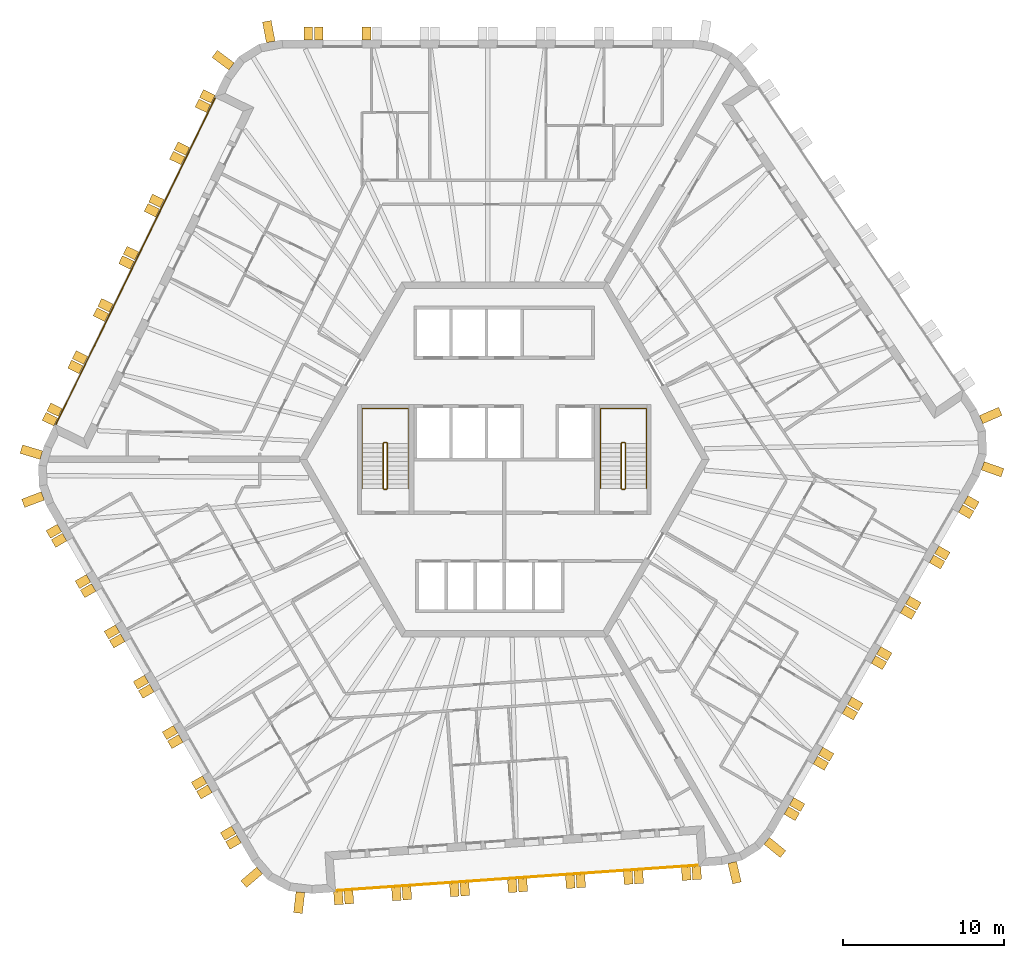
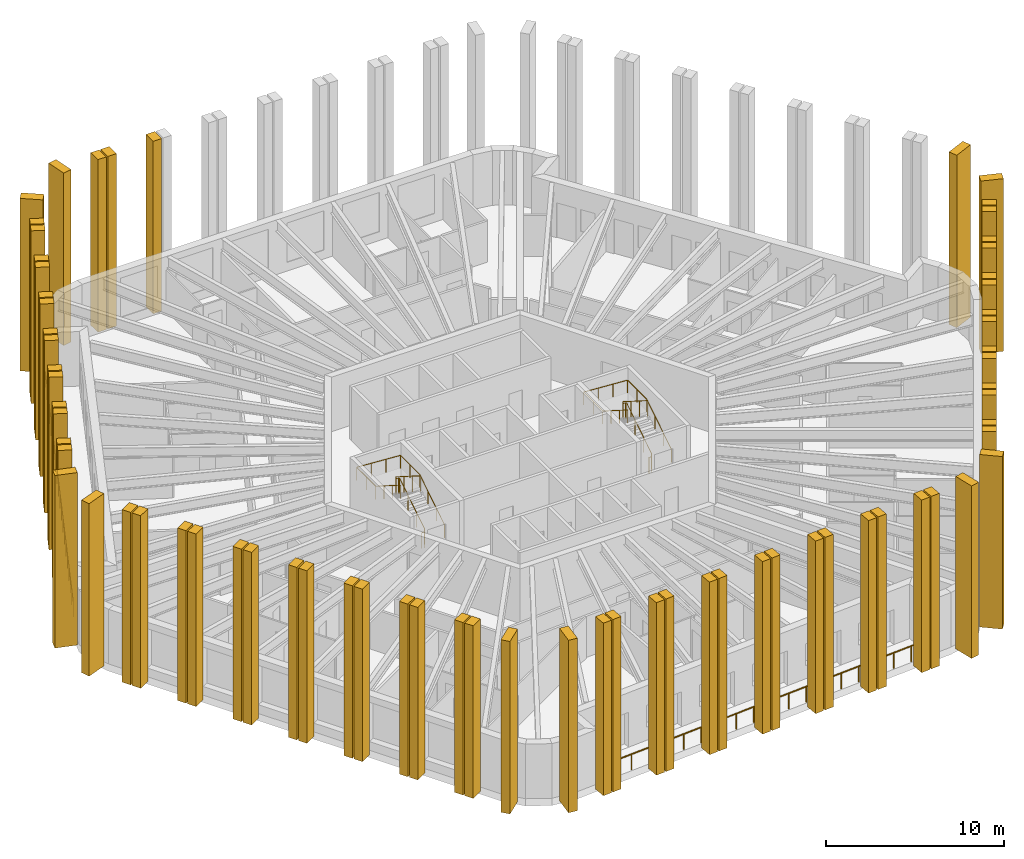
# One storey, part 12 of 13: 69 shading devices, 6 railings.
"""IFC4 building model written with IfcOpenShell, lengths in metres."""

from ifc_helpers import new_model, si_unit, direction, frame, origin, origin_2d, place, context, subcontext, project, spatial, polyline, circle, outline, extrude, material, layer, layer_set, type_object, element, save


model = new_model("IFC4")

# Units and contexts
model_context = context("Model", 3, precision=1e-05, world=origin(), true_north=direction((0.0, 1.0)))
body_context = subcontext(model_context, "Body", "Model", "MODEL_VIEW")
ifc_project = project(units=[si_unit("LENGTHUNIT", "METRE"), si_unit("AREAUNIT", "SQUARE_METRE"), si_unit("VOLUMEUNIT", "CUBIC_METRE"), si_unit("PLANEANGLEUNIT", "RADIAN"), si_unit("MASSUNIT", "GRAM", prefix="KILO")], contexts=[model_context])

# Site, building, storey
site_placement = place(None, origin())
site = spatial("IfcSite", under=ifc_project, at=site_placement, CompositionType="ELEMENT")
building_placement = place(site_placement, origin())
building = spatial("IfcBuilding", under=site, at=building_placement, Name="Tarnside Tower", CompositionType="ELEMENT")
storey_placement = place(building_placement, frame((0.0, 0.0, 256.199951171875)))
storey = spatial("IfcBuildingStorey", under=building, at=storey_placement, Name="L61", CompositionType="ELEMENT", Elevation=256.199951171875)

# Railings
ifc_material_1 = material(Name="Toughened glass", Category="glass")
railing_type_1 = type_object("IfcRailingType", Name="Glass guard 1100", PredefinedType="GUARDRAIL", material=ifc_material_1)
railing_1_placement = place(storey_placement, frame((-17.906005859375, 22.415283203125, 0.0)))
element("IfcRailing", 1, at=railing_1_placement, inside=storey, type_object=railing_type_1, Name="Loggia guard L61 F2", PredefinedType="GUARDRAIL", context=body_context, shape_type="SweptSolid", body=[
    extrude(circle(Radius=0.030029296875, at=origin_2d()), frame((0.0, 0.0, 1.070068359375), z_axis=(-0.438372639335, -0.898793318335, 0.0), x_axis=(0.898793318335, -0.438372639335, 0.0)), (0.0, 0.0, 1.0), 22.544921875),
    extrude(circle(Radius=0.02490234375, at=origin_2d()), origin(), (0.0, 0.0, 1.0), 1.0400390625),
    extrude(circle(Radius=0.02490234375, at=origin_2d()), frame((-0.520263671875, -1.06640625, 0.0)), (0.0, 0.0, 1.0), 1.0400390625),
    extrude(circle(Radius=0.02490234375, at=origin_2d()), frame((-1.040283203125, -2.133056640625, 0.0)), (0.0, 0.0, 1.0), 1.0400390625),
    extrude(circle(Radius=0.02490234375, at=origin_2d()), frame((-1.560546875, -3.199462890625, 0.0)), (0.0, 0.0, 1.0), 1.0400390625),
    extrude(circle(Radius=0.02490234375, at=origin_2d()), frame((-2.08056640625, -4.265869140625, 0.0)), (0.0, 0.0, 1.0), 1.0400390625),
    extrude(circle(Radius=0.02490234375, at=origin_2d()), frame((-2.600830078125, -5.33251953125, 0.0)), (0.0, 0.0, 1.0), 1.0400390625),
    extrude(circle(Radius=0.02490234375, at=origin_2d()), frame((-3.120849609375, -6.39892578125, 0.0)), (0.0, 0.0, 1.0), 1.0400390625),
    extrude(circle(Radius=0.02490234375, at=origin_2d()), frame((-3.64111328125, -7.46533203125, 0.0)), (0.0, 0.0, 1.0), 1.0400390625),
    extrude(circle(Radius=0.02490234375, at=origin_2d()), frame((-4.161376953125, -8.531982421875, 0.0)), (0.0, 0.0, 1.0), 1.0400390625),
    extrude(circle(Radius=0.02490234375, at=origin_2d()), frame((-4.681396484375, -9.598388671875, 0.0)), (0.0, 0.0, 1.0), 1.0400390625),
    extrude(circle(Radius=0.02490234375, at=origin_2d()), frame((-5.20166015625, -10.664794921875, 0.0)), (0.0, 0.0, 1.0), 1.0400390625),
    extrude(circle(Radius=0.02490234375, at=origin_2d()), frame((-5.7216796875, -11.731201171875, 0.0)), (0.0, 0.0, 1.0), 1.0400390625),
    extrude(circle(Radius=0.02490234375, at=origin_2d()), frame((-6.241943359375, -12.7978515625, 0.0)), (0.0, 0.0, 1.0), 1.0400390625),
    extrude(circle(Radius=0.02490234375, at=origin_2d()), frame((-6.76220703125, -13.8642578125, 0.0)), (0.0, 0.0, 1.0), 1.0400390625),
    extrude(circle(Radius=0.02490234375, at=origin_2d()), frame((-7.2822265625, -14.9306640625, 0.0)), (0.0, 0.0, 1.0), 1.0400390625),
    extrude(circle(Radius=0.02490234375, at=origin_2d()), frame((-7.802490234375, -15.997314453125, 0.0)), (0.0, 0.0, 1.0), 1.0400390625),
    extrude(circle(Radius=0.02490234375, at=origin_2d()), frame((-8.322509765625, -17.063720703125, 0.0)), (0.0, 0.0, 1.0), 1.0400390625),
    extrude(circle(Radius=0.02490234375, at=origin_2d()), frame((-8.8427734375, -18.130126953125, 0.0)), (0.0, 0.0, 1.0), 1.0400390625),
    extrude(circle(Radius=0.02490234375, at=origin_2d()), frame((-9.36279296875, -19.19677734375, 0.0)), (0.0, 0.0, 1.0), 1.0400390625),
    extrude(circle(Radius=0.02490234375, at=origin_2d()), frame((-9.883056640625, -20.26318359375, 0.0)), (0.0, 0.0, 1.0), 1.0400390625),
])
railing_2_placement = place(storey_placement, frame((-10.458984375, -26.714599609375, 0.0)))
element("IfcRailing", 2, at=railing_2_placement, inside=storey, type_object=railing_type_1, Name="Loggia guard L61 F4", PredefinedType="GUARDRAIL", context=body_context, shape_type="SweptSolid", body=[
    extrude(circle(Radius=0.030029296875, at=origin_2d()), frame((0.0, 0.0, 1.070068359375), z_axis=(0.997564440639, 0.069750890837, 0.0), x_axis=(-0.069750890837, 0.997564440639, 0.0)), (0.0, 0.0, 1.0), 22.544677734375),
    extrude(circle(Radius=0.02490234375, at=origin_2d()), origin(), (0.0, 0.0, 1.0), 1.0400390625),
    extrude(circle(Radius=0.02490234375, at=origin_2d()), frame((1.18359375, 0.082763671875, 0.0)), (0.0, 0.0, 1.0), 1.0400390625),
    extrude(circle(Radius=0.02490234375, at=origin_2d()), frame((2.367431640625, 0.16552734375, 0.0)), (0.0, 0.0, 1.0), 1.0400390625),
    extrude(circle(Radius=0.02490234375, at=origin_2d()), frame((3.551025390625, 0.248291015625, 0.0)), (0.0, 0.0, 1.0), 1.0400390625),
    extrude(circle(Radius=0.02490234375, at=origin_2d()), frame((4.734619140625, 0.3310546875, 0.0)), (0.0, 0.0, 1.0), 1.0400390625),
    extrude(circle(Radius=0.02490234375, at=origin_2d()), frame((5.91845703125, 0.413818359375, 0.0)), (0.0, 0.0, 1.0), 1.0400390625),
    extrude(circle(Radius=0.02490234375, at=origin_2d()), frame((7.10205078125, 0.49658203125, 0.0)), (0.0, 0.0, 1.0), 1.0400390625),
    extrude(circle(Radius=0.02490234375, at=origin_2d()), frame((8.28564453125, 0.579345703125, 0.0)), (0.0, 0.0, 1.0), 1.0400390625),
    extrude(circle(Radius=0.02490234375, at=origin_2d()), frame((9.469482421875, 0.662109375, 0.0)), (0.0, 0.0, 1.0), 1.0400390625),
    extrude(circle(Radius=0.02490234375, at=origin_2d()), frame((10.653076171875, 0.744873046875, 0.0)), (0.0, 0.0, 1.0), 1.0400390625),
    extrude(circle(Radius=0.02490234375, at=origin_2d()), frame((11.836669921875, 0.82763671875, 0.0)), (0.0, 0.0, 1.0), 1.0400390625),
    extrude(circle(Radius=0.02490234375, at=origin_2d()), frame((13.020263671875, 0.910400390625, 0.0)), (0.0, 0.0, 1.0), 1.0400390625),
    extrude(circle(Radius=0.02490234375, at=origin_2d()), frame((14.2041015625, 0.9931640625, 0.0)), (0.0, 0.0, 1.0), 1.0400390625),
    extrude(circle(Radius=0.02490234375, at=origin_2d()), frame((15.3876953125, 1.075927734375, 0.0)), (0.0, 0.0, 1.0), 1.0400390625),
    extrude(circle(Radius=0.02490234375, at=origin_2d()), frame((16.5712890625, 1.15869140625, 0.0)), (0.0, 0.0, 1.0), 1.0400390625),
    extrude(circle(Radius=0.02490234375, at=origin_2d()), frame((17.755126953125, 1.241455078125, 0.0)), (0.0, 0.0, 1.0), 1.0400390625),
    extrude(circle(Radius=0.02490234375, at=origin_2d()), frame((18.938720703125, 1.32421875, 0.0)), (0.0, 0.0, 1.0), 1.0400390625),
    extrude(circle(Radius=0.02490234375, at=origin_2d()), frame((20.122314453125, 1.406982421875, 0.0)), (0.0, 0.0, 1.0), 1.0400390625),
    extrude(circle(Radius=0.02490234375, at=origin_2d()), frame((21.30615234375, 1.48974609375, 0.0)), (0.0, 0.0, 1.0), 1.0400390625),
    extrude(circle(Radius=0.02490234375, at=origin_2d()), frame((22.48974609375, 1.572509765625, 0.0)), (0.0, 0.0, 1.0), 1.0400390625),
])

# Shading devices
ifc_material_2 = material(Name="Concrete C50/60 white precast", Category="concrete")
ifc_layer_1 = layer(ifc_material_2, 0.550048828125)
ifc_layer_set_1 = layer_set([ifc_layer_1], Name="Precast fin 550 x 1300")
shading_device_type_1 = type_object("IfcShadingDeviceType", Name="Precast fin 550 x 1300", PredefinedType="USERDEFINED", material=ifc_layer_set_1)
for number, where, z_axis, x_axis, name in (
    (3, (-14.4755859375, 25.8671875, -0.300048828125), (0.982720646705, 0.18509492305, 0.0), (-0.18509492305, 0.982720646705, 0.0), "Precast fin"),
    (4, (-16.903564453125, 24.349853515625, -0.300048828125), (0.597158591707, 0.802123192752, 0.0), (-0.802123192752, 0.597158591707, 0.0), "Precast fin"),
    (5, (-28.685791015625, 0.263427734375, -0.300048828125), (0.286803232717, 0.957989512314, 0.0), (-0.957989512314, 0.286803232717, 0.0), "Precast fin"),
    (6, (-28.597412109375, -2.263671875, -0.300048828125), (-0.352930564719, 0.935649515837, 0.0), (-0.935649515837, -0.352930564719, 0.0), "Precast fin"),
    (7, (-15.163818359375, -25.4697265625, -0.300048828125), (-0.651657228826, 0.758513583345, 0.0), (-0.758513583345, -0.651657228826, 0.0), "Precast fin"),
    (8, (-12.6357421875, -26.81396484375, -0.300048828125), (-0.993238357741, 0.116092914131, 0.0), (-0.116092914131, -0.993238357741, 0.0), "Precast fin"),
    (9, (14.11474609375, -24.974365234375, -0.300048828125), (-0.973044870581, -0.230615870737, 0.0), (0.230615870737, -0.973044870581, 0.0), "Precast fin"),
    (10, (16.25927734375, -23.63427734375, -0.300048828125), (-0.633830967394, -0.773471592738, 0.0), (0.773471592738, -0.633830967394, 0.0), "Precast fin"),
    (11, (29.639404296875, -0.3974609375, -0.300048828125), (-0.331063417879, -0.943608506396, 0.0), (0.943608506396, -0.331063417879, 0.0), "Precast fin"),
    (12, (29.53955078125, 2.464111328125, -0.300048828125), (0.396079766034, -0.918216106883, 0.0), (0.918216106883, 0.396079766034, 0.0), "Precast fin"),
):
    element("IfcShadingDevice", number, at=place(storey_placement, frame(where, z_axis=z_axis, x_axis=x_axis)), inside=storey, type_object=shading_device_type_1, Name=name, ObjectType="FIN", PredefinedType="USERDEFINED", context=body_context, shape_type="SweptSolid", body=[
        extrude(outline(polyline([(0.0, 0.0), (1.300048828125, 0.0), (1.300048828125, 11.85009765625), (0.0, 11.85009765625), (0.0, 0.0)])), frame((0.0, 0.0, -0.27490234375)), (0.0, 0.0, 1.0), 0.550048828125),
    ])
ifc_layer_2 = layer(ifc_material_2, 0.550048828125)
ifc_layer_set_2 = layer_set([ifc_layer_2], Name="Precast fin 550 x 800")
shading_device_type_2 = type_object("IfcShadingDeviceType", Name="Precast fin 550 x 800", PredefinedType="USERDEFINED", material=ifc_layer_set_2)
for number, where, z_axis, x_axis, name in (
    (13, (-8.5498046875, 26.0, -0.300048828125), (1.0, 0.0, 0.0), (0.0, 1.0, 0.0), "Precast fin"),
    (14, (-11.499755859375, 26.0, -0.300048828125), (1.0, 0.0, 0.0), (0.0, 1.0, 0.0), "Precast fin"),
    (15, (-12.14990234375, 26.0, -0.300048828125), (1.0, 0.0, 0.0), (0.0, 1.0, 0.0), "Precast fin"),
    (16, (-18.04248046875, 22.31787109375, -0.300048828125), (0.438371146789, 0.898794046299, 0.0), (-0.898794046299, 0.438371146789, 0.0), "Precast fin"),
    (17, (-18.327392578125, 21.733642578125, -0.300048828125), (0.438371146789, 0.898794046299, 0.0), (-0.898794046299, 0.438371146789, 0.0), "Precast fin"),
    (18, (-19.62060546875, 19.08203125, -0.300048828125), (0.438371146789, 0.898794046299, 0.0), (-0.898794046299, 0.438371146789, 0.0), "Precast fin"),
    (19, (-19.905517578125, 18.497802734375, -0.300048828125), (0.438371146789, 0.898794046299, 0.0), (-0.898794046299, 0.438371146789, 0.0), "Precast fin"),
    (20, (-21.19873046875, 15.846435546875, -0.300048828125), (0.438371146789, 0.898794046299, 0.0), (-0.898794046299, 0.438371146789, 0.0), "Precast fin"),
    (21, (-21.48388671875, 15.26220703125, -0.300048828125), (0.438371146789, 0.898794046299, 0.0), (-0.898794046299, 0.438371146789, 0.0), "Precast fin"),
    (22, (-22.77685546875, 12.61083984375, -0.300048828125), (0.438371146789, 0.898794046299, 0.0), (-0.898794046299, 0.438371146789, 0.0), "Precast fin"),
    (23, (-23.06201171875, 12.026611328125, -0.300048828125), (0.438371146789, 0.898794046299, 0.0), (-0.898794046299, 0.438371146789, 0.0), "Precast fin"),
    (24, (-24.35498046875, 9.375, -0.300048828125), (0.438371146789, 0.898794046299, 0.0), (-0.898794046299, 0.438371146789, 0.0), "Precast fin"),
    (25, (-24.64013671875, 8.791015625, -0.300048828125), (0.438371146789, 0.898794046299, 0.0), (-0.898794046299, 0.438371146789, 0.0), "Precast fin"),
    (26, (-25.933349609375, 6.139404296875, -0.300048828125), (0.438371146789, 0.898794046299, 0.0), (-0.898794046299, 0.438371146789, 0.0), "Precast fin"),
    (27, (-26.21826171875, 5.55517578125, -0.300048828125), (0.438371146789, 0.898794046299, 0.0), (-0.898794046299, 0.438371146789, 0.0), "Precast fin"),
    (28, (-27.511474609375, 2.90380859375, -0.300048828125), (0.438371146789, 0.898794046299, 0.0), (-0.898794046299, 0.438371146789, 0.0), "Precast fin"),
    (29, (-27.79638671875, 2.319580078125, -0.300048828125), (0.438371146789, 0.898794046299, 0.0), (-0.898794046299, 0.438371146789, 0.0), "Precast fin"),
    (30, (-27.566650390625, -4.2529296875, -0.300048828125), (-0.5, 0.866025403784, 0.0), (-0.866025403784, -0.5, 0.0), "Precast fin"),
    (31, (-27.24169921875, -4.81591796875, -0.300048828125), (-0.5, 0.866025403784, 0.0), (-0.866025403784, -0.5, 0.0), "Precast fin"),
    (32, (-25.766845703125, -7.37060546875, -0.300048828125), (-0.5, 0.866025403784, 0.0), (-0.866025403784, -0.5, 0.0), "Precast fin"),
    (33, (-25.441650390625, -7.93359375, -0.300048828125), (-0.5, 0.866025403784, 0.0), (-0.866025403784, -0.5, 0.0), "Precast fin"),
    (34, (-23.966796875, -10.48828125, -0.300048828125), (-0.5, 0.866025403784, 0.0), (-0.866025403784, -0.5, 0.0), "Precast fin"),
    (35, (-23.641845703125, -11.05126953125, -0.300048828125), (-0.5, 0.866025403784, 0.0), (-0.866025403784, -0.5, 0.0), "Precast fin"),
    (36, (-22.166748046875, -13.60595703125, -0.300048828125), (-0.5, 0.866025403784, 0.0), (-0.866025403784, -0.5, 0.0), "Precast fin"),
    (37, (-21.841796875, -14.1689453125, -0.300048828125), (-0.5, 0.866025403784, 0.0), (-0.866025403784, -0.5, 0.0), "Precast fin"),
    (38, (-20.36669921875, -16.7236328125, -0.300048828125), (-0.5, 0.866025403784, 0.0), (-0.866025403784, -0.5, 0.0), "Precast fin"),
    (39, (-20.041748046875, -17.28662109375, -0.300048828125), (-0.5, 0.866025403784, 0.0), (-0.866025403784, -0.5, 0.0), "Precast fin"),
    (40, (-18.566650390625, -19.84130859375, -0.300048828125), (-0.5, 0.866025403784, 0.0), (-0.866025403784, -0.5, 0.0), "Precast fin"),
    (41, (-18.24169921875, -20.404296875, -0.300048828125), (-0.5, 0.866025403784, 0.0), (-0.866025403784, -0.5, 0.0), "Precast fin"),
    (42, (-16.766845703125, -22.959228515625, -0.300048828125), (-0.5, 0.866025403784, 0.0), (-0.866025403784, -0.5, 0.0), "Precast fin"),
    (43, (-16.441650390625, -23.52197265625, -0.300048828125), (-0.5, 0.866025403784, 0.0), (-0.866025403784, -0.5, 0.0), "Precast fin"),
    (44, (-10.306396484375, -26.7841796875, -0.300048828125), (-0.99756405026, -0.069756473744, 0.0), (0.069756473744, -0.99756405026, 0.0), "Precast fin"),
    (45, (-9.657958984375, -26.73876953125, -0.300048828125), (-0.99756405026, -0.069756473744, 0.0), (0.069756473744, -0.99756405026, 0.0), "Precast fin"),
    (46, (-6.71533203125, -26.532958984375, -0.300048828125), (-0.99756405026, -0.069756473744, 0.0), (0.069756473744, -0.99756405026, 0.0), "Precast fin"),
    (47, (-6.06689453125, -26.48779296875, -0.300048828125), (-0.99756405026, -0.069756473744, 0.0), (0.069756473744, -0.99756405026, 0.0), "Precast fin"),
    (48, (-3.1240234375, -26.281982421875, -0.300048828125), (-0.99756405026, -0.069756473744, 0.0), (0.069756473744, -0.99756405026, 0.0), "Precast fin"),
    (49, (-2.4755859375, -26.236572265625, -0.300048828125), (-0.99756405026, -0.069756473744, 0.0), (0.069756473744, -0.99756405026, 0.0), "Precast fin"),
    (50, (0.46728515625, -26.03076171875, -0.300048828125), (-0.99756405026, -0.069756473744, 0.0), (0.069756473744, -0.99756405026, 0.0), "Precast fin"),
    (51, (1.11572265625, -25.985595703125, -0.300048828125), (-0.99756405026, -0.069756473744, 0.0), (0.069756473744, -0.99756405026, 0.0), "Precast fin"),
    (52, (4.058349609375, -25.77978515625, -0.300048828125), (-0.99756405026, -0.069756473744, 0.0), (0.069756473744, -0.99756405026, 0.0), "Precast fin"),
    (53, (4.706787109375, -25.734375, -0.300048828125), (-0.99756405026, -0.069756473744, 0.0), (0.069756473744, -0.99756405026, 0.0), "Precast fin"),
    (54, (7.649658203125, -25.528564453125, -0.300048828125), (-0.99756405026, -0.069756473744, 0.0), (0.069756473744, -0.99756405026, 0.0), "Precast fin"),
    (55, (8.298095703125, -25.483154296875, -0.300048828125), (-0.99756405026, -0.069756473744, 0.0), (0.069756473744, -0.99756405026, 0.0), "Precast fin"),
    (56, (11.240966796875, -25.27734375, -0.300048828125), (-0.99756405026, -0.069756473744, 0.0), (0.069756473744, -0.99756405026, 0.0), "Precast fin"),
    (57, (11.889404296875, -25.232177734375, -0.300048828125), (-0.99756405026, -0.069756473744, 0.0), (0.069756473744, -0.99756405026, 0.0), "Precast fin"),
    (58, (17.466552734375, -21.7470703125, -0.300048828125), (-0.5, -0.866025403784, 0.0), (0.866025403784, -0.5, 0.0), "Precast fin"),
    (59, (17.79150390625, -21.18408203125, -0.300048828125), (-0.5, -0.866025403784, 0.0), (0.866025403784, -0.5, 0.0), "Precast fin"),
    (60, (19.2666015625, -18.62939453125, -0.300048828125), (-0.5, -0.866025403784, 0.0), (0.866025403784, -0.5, 0.0), "Precast fin"),
    (61, (19.591552734375, -18.06640625, -0.300048828125), (-0.5, -0.866025403784, 0.0), (0.866025403784, -0.5, 0.0), "Precast fin"),
    (62, (21.066650390625, -15.51171875, -0.300048828125), (-0.5, -0.866025403784, 0.0), (0.866025403784, -0.5, 0.0), "Precast fin"),
    (63, (21.3916015625, -14.94873046875, -0.300048828125), (-0.5, -0.866025403784, 0.0), (0.866025403784, -0.5, 0.0), "Precast fin"),
    (64, (22.866455078125, -12.39404296875, -0.300048828125), (-0.5, -0.866025403784, 0.0), (0.866025403784, -0.5, 0.0), "Precast fin"),
    (65, (23.191650390625, -11.8310546875, -0.300048828125), (-0.5, -0.866025403784, 0.0), (0.866025403784, -0.5, 0.0), "Precast fin"),
    (66, (24.66650390625, -9.2763671875, -0.300048828125), (-0.5, -0.866025403784, 0.0), (0.866025403784, -0.5, 0.0), "Precast fin"),
    (67, (24.991455078125, -8.71337890625, -0.300048828125), (-0.5, -0.866025403784, 0.0), (0.866025403784, -0.5, 0.0), "Precast fin"),
    (68, (26.466552734375, -6.15869140625, -0.300048828125), (-0.5, -0.866025403784, 0.0), (0.866025403784, -0.5, 0.0), "Precast fin"),
    (69, (26.79150390625, -5.595703125, -0.300048828125), (-0.5, -0.866025403784, 0.0), (0.866025403784, -0.5, 0.0), "Precast fin"),
    (70, (28.2666015625, -3.040771484375, -0.300048828125), (-0.5, -0.866025403784, 0.0), (0.866025403784, -0.5, 0.0), "Precast fin"),
    (71, (28.591552734375, -2.47802734375, -0.300048828125), (-0.5, -0.866025403784, 0.0), (0.866025403784, -0.5, 0.0), "Precast fin"),
):
    element("IfcShadingDevice", number, at=place(storey_placement, frame(where, z_axis=z_axis, x_axis=x_axis)), inside=storey, type_object=shading_device_type_2, Name=name, ObjectType="FIN", PredefinedType="USERDEFINED", context=body_context, shape_type="SweptSolid", body=[
        extrude(outline(polyline([(0.0, 0.0), (0.800048828125, 0.0), (0.800048828125, 11.85009765625), (0.0, 11.85009765625), (0.0, 0.0)])), frame((0.0, 0.0, -0.27490234375)), (0.0, 0.0, 1.0), 0.550048828125),
    ])

# Railings
ifc_material_3 = material(Name="Stainless steel", Category="steel")
railing_type_2 = type_object("IfcRailingType", Name="Stair guard 1100", PredefinedType="GUARDRAIL", material=ifc_material_3)
railing_3_placement = place(storey_placement, frame((7.300048828125, -1.85009765625, 0.0)))
element("IfcRailing", 72, at=railing_3_placement, inside=storey, type_object=railing_type_2, Name="L61 ST1 stair guard 1", PredefinedType="GUARDRAIL", context=body_context, shape_type="SweptSolid", body=[
    extrude(circle(Radius=0.02392578125, at=origin_2d()), frame((0.0, 0.0, 1.076171875), z_axis=(1.0, 0.0, 0.0), x_axis=(0.0, 1.0, 0.0)), (0.0, 0.0, 1.0), 0.14990234375),
    extrude(circle(Radius=0.02392578125, at=origin_2d()), frame((0.14990234375, 0.0, 1.076171875), z_axis=(0.262233686654, 0.262233686654, 0.928691007369), x_axis=(-0.707106781187, 0.707106781187, 0.0)), (0.0, 0.0, 1.0), 0.19091796875),
    extrude(circle(Radius=0.02392578125, at=origin_2d()), frame((0.199951171875, 0.050048828125, 1.25341796875), z_axis=(0.0, 0.844908973607, 0.534910110503), x_axis=(-1.0, 0.0, 0.0)), (0.0, 0.0, 1.0), 3.31396484375),
    extrude(circle(Radius=0.02392578125, at=origin_2d()), frame((0.199951171875, 2.85009765625, 3.02587890625), z_axis=(-0.707106781187, 0.707106781187, 0.0), x_axis=(-0.707106781187, -0.707106781187, 0.0)), (0.0, 0.0, 1.0), 0.07080078125),
    extrude(circle(Radius=0.02392578125, at=origin_2d()), frame((0.14990234375, 2.900146484375, 3.02587890625), z_axis=(-1.0, 0.0, 0.0), x_axis=(0.0, -1.0, 0.0)), (0.0, 0.0, 1.0), 0.14990234375),
    extrude(circle(Radius=0.02392578125, at=origin_2d()), frame((0.0, 2.900146484375, 3.02587890625), z_axis=(-0.261922500866, -0.261922500866, 0.928866625022), x_axis=(0.707106781187, -0.707106781187, 0.0)), (0.0, 0.0, 1.0), 0.191162109375),
    extrude(circle(Radius=0.02392578125, at=origin_2d()), frame((-0.050048828125, 2.85009765625, 3.20361328125), z_axis=(0.0, -0.844908973607, 0.534910110503), x_axis=(1.0, 0.0, 0.0)), (0.0, 0.0, 1.0), 3.31396484375),
    extrude(circle(Radius=0.02099609375, at=origin_2d()), origin(), (0.0, 0.0, 1.0), 1.052001953125),
    extrude(circle(Radius=0.02099609375, at=origin_2d()), frame((0.14990234375, 0.0, 0.0)), (0.0, 0.0, 1.0), 1.052001953125),
    extrude(circle(Radius=0.02099609375, at=origin_2d()), frame((0.199951171875, 0.050048828125, 0.17724609375)), (0.0, 0.0, 1.0), 1.052001953125),
    extrude(circle(Radius=0.02099609375, at=origin_2d()), frame((0.199951171875, 0.9833984375, 0.76806640625)), (0.0, 0.0, 1.0), 1.052001953125),
    extrude(circle(Radius=0.02099609375, at=origin_2d()), frame((0.199951171875, 1.916748046875, 1.359130859375)), (0.0, 0.0, 1.0), 1.052001953125),
    extrude(circle(Radius=0.02099609375, at=origin_2d()), frame((0.199951171875, 2.85009765625, 1.949951171875)), (0.0, 0.0, 1.0), 1.052001953125),
    extrude(circle(Radius=0.02099609375, at=origin_2d()), frame((0.14990234375, 2.900146484375, 1.949951171875)), (0.0, 0.0, 1.0), 1.052001953125),
    extrude(circle(Radius=0.02099609375, at=origin_2d()), frame((0.0, 2.900146484375, 1.949951171875)), (0.0, 0.0, 1.0), 1.052001953125),
    extrude(circle(Radius=0.02099609375, at=origin_2d()), frame((-0.050048828125, 2.85009765625, 2.12744140625)), (0.0, 0.0, 1.0), 1.052001953125),
    extrude(circle(Radius=0.02099609375, at=origin_2d()), frame((-0.050048828125, 1.916748046875, 2.71826171875)), (0.0, 0.0, 1.0), 1.052001953125),
    extrude(circle(Radius=0.02099609375, at=origin_2d()), frame((-0.050048828125, 0.9833984375, 3.309326171875)), (0.0, 0.0, 1.0), 1.052001953125),
    extrude(circle(Radius=0.02099609375, at=origin_2d()), frame((-0.050048828125, 0.050048828125, 3.900146484375)), (0.0, 0.0, 1.0), 1.052001953125),
])
railing_4_placement = place(storey_placement, frame((-7.449951171875, -1.85009765625, 0.0)))
element("IfcRailing", 73, at=railing_4_placement, inside=storey, type_object=railing_type_2, Name="L61 ST2 stair guard 1", PredefinedType="GUARDRAIL", context=body_context, shape_type="SweptSolid", body=[
    extrude(circle(Radius=0.02392578125, at=origin_2d()), frame((0.0, 0.0, 1.076171875), z_axis=(1.0, 0.0, 0.0), x_axis=(0.0, 1.0, 0.0)), (0.0, 0.0, 1.0), 0.14990234375),
    extrude(circle(Radius=0.02392578125, at=origin_2d()), frame((0.14990234375, 0.0, 1.076171875), z_axis=(0.262233686654, 0.262233686654, 0.928691007369), x_axis=(-0.707106781187, 0.707106781187, 0.0)), (0.0, 0.0, 1.0), 0.19091796875),
    extrude(circle(Radius=0.02392578125, at=origin_2d()), frame((0.199951171875, 0.050048828125, 1.25341796875), z_axis=(0.0, 0.844908973607, 0.534910110503), x_axis=(-1.0, 0.0, 0.0)), (0.0, 0.0, 1.0), 3.31396484375),
    extrude(circle(Radius=0.02392578125, at=origin_2d()), frame((0.199951171875, 2.85009765625, 3.02587890625), z_axis=(-0.707106781187, 0.707106781187, 0.0), x_axis=(-0.707106781187, -0.707106781187, 0.0)), (0.0, 0.0, 1.0), 0.07080078125),
    extrude(circle(Radius=0.02392578125, at=origin_2d()), frame((0.14990234375, 2.900146484375, 3.02587890625), z_axis=(-1.0, 0.0, 0.0), x_axis=(0.0, -1.0, 0.0)), (0.0, 0.0, 1.0), 0.14990234375),
    extrude(circle(Radius=0.02392578125, at=origin_2d()), frame((0.0, 2.900146484375, 3.02587890625), z_axis=(-0.261922500866, -0.261922500866, 0.928866625022), x_axis=(0.707106781187, -0.707106781187, 0.0)), (0.0, 0.0, 1.0), 0.191162109375),
    extrude(circle(Radius=0.02392578125, at=origin_2d()), frame((-0.050048828125, 2.85009765625, 3.20361328125), z_axis=(0.0, -0.844908973607, 0.534910110503), x_axis=(1.0, 0.0, 0.0)), (0.0, 0.0, 1.0), 3.31396484375),
    extrude(circle(Radius=0.02099609375, at=origin_2d()), origin(), (0.0, 0.0, 1.0), 1.052001953125),
    extrude(circle(Radius=0.02099609375, at=origin_2d()), frame((0.14990234375, 0.0, 0.0)), (0.0, 0.0, 1.0), 1.052001953125),
    extrude(circle(Radius=0.02099609375, at=origin_2d()), frame((0.199951171875, 0.050048828125, 0.17724609375)), (0.0, 0.0, 1.0), 1.052001953125),
    extrude(circle(Radius=0.02099609375, at=origin_2d()), frame((0.199951171875, 0.9833984375, 0.76806640625)), (0.0, 0.0, 1.0), 1.052001953125),
    extrude(circle(Radius=0.02099609375, at=origin_2d()), frame((0.199951171875, 1.916748046875, 1.359130859375)), (0.0, 0.0, 1.0), 1.052001953125),
    extrude(circle(Radius=0.02099609375, at=origin_2d()), frame((0.199951171875, 2.85009765625, 1.949951171875)), (0.0, 0.0, 1.0), 1.052001953125),
    extrude(circle(Radius=0.02099609375, at=origin_2d()), frame((0.14990234375, 2.900146484375, 1.949951171875)), (0.0, 0.0, 1.0), 1.052001953125),
    extrude(circle(Radius=0.02099609375, at=origin_2d()), frame((0.0, 2.900146484375, 1.949951171875)), (0.0, 0.0, 1.0), 1.052001953125),
    extrude(circle(Radius=0.02099609375, at=origin_2d()), frame((-0.050048828125, 2.85009765625, 2.12744140625)), (0.0, 0.0, 1.0), 1.052001953125),
    extrude(circle(Radius=0.02099609375, at=origin_2d()), frame((-0.050048828125, 1.916748046875, 2.71826171875)), (0.0, 0.0, 1.0), 1.052001953125),
    extrude(circle(Radius=0.02099609375, at=origin_2d()), frame((-0.050048828125, 0.9833984375, 3.309326171875)), (0.0, 0.0, 1.0), 1.052001953125),
    extrude(circle(Radius=0.02099609375, at=origin_2d()), frame((-0.050048828125, 0.050048828125, 3.900146484375)), (0.0, 0.0, 1.0), 1.052001953125),
])
railing_type_3 = type_object("IfcRailingType", Name="Stair handrail 900", PredefinedType="HANDRAIL", material=ifc_material_3)
railing_5_placement = place(storey_placement, frame((8.800048828125, -1.800048828125, 0.17724609375)))
element("IfcRailing", 74, at=railing_5_placement, inside=storey, type_object=railing_type_3, Name="L61 ST1 stair handrail 1", PredefinedType="HANDRAIL", context=body_context, shape_type="SweptSolid", body=[
    extrude(circle(Radius=0.02392578125, at=origin_2d()), frame((0.0, 0.0, 0.8857421875), z_axis=(0.0, 0.844908973607, 0.534910110503), x_axis=(-1.0, 0.0, 0.0)), (0.0, 0.0, 1.0), 3.31396484375),
    extrude(circle(Radius=0.02392578125, at=origin_2d()), frame((0.0, 2.800048828125, 2.65869140625), z_axis=(0.0, 1.0, 0.0), x_axis=(-1.0, 0.0, 0.0)), (0.0, 0.0, 1.0), 2.14990234375),
    extrude(circle(Radius=0.02392578125, at=origin_2d()), frame((0.0, 4.949951171875, 2.65869140625), z_axis=(-0.998066525363, 0.0, 0.062154733933), x_axis=(0.0, -1.0, 0.0)), (0.0, 0.0, 1.0), 2.855712890625),
    extrude(circle(Radius=0.02392578125, at=origin_2d()), frame((-2.85009765625, 4.949951171875, 2.8359375), z_axis=(0.0, -1.0, 0.0), x_axis=(1.0, 0.0, 0.0)), (0.0, 0.0, 1.0), 2.14990234375),
    extrude(circle(Radius=0.02392578125, at=origin_2d()), frame((-2.85009765625, 2.800048828125, 2.8359375), z_axis=(0.0, -0.844908973607, 0.534910110503), x_axis=(1.0, 0.0, 0.0)), (0.0, 0.0, 1.0), 3.31396484375),
    extrude(circle(Radius=0.02099609375, at=origin_2d()), origin(), (0.0, 0.0, 1.0), 0.86181640625),
    extrude(circle(Radius=0.02099609375, at=origin_2d()), frame((0.0, 0.933349609375, 0.5908203125)), (0.0, 0.0, 1.0), 0.86181640625),
    extrude(circle(Radius=0.02099609375, at=origin_2d()), frame((0.0, 1.86669921875, 1.181884765625)), (0.0, 0.0, 1.0), 0.86181640625),
    extrude(circle(Radius=0.02099609375, at=origin_2d()), frame((0.0, 2.800048828125, 1.772705078125)), (0.0, 0.0, 1.0), 0.86181640625),
    extrude(circle(Radius=0.02099609375, at=origin_2d()), frame((0.0, 3.875, 1.772705078125)), (0.0, 0.0, 1.0), 0.86181640625),
    extrude(circle(Radius=0.02099609375, at=origin_2d()), frame((0.0, 4.949951171875, 1.772705078125)), (0.0, 0.0, 1.0), 0.86181640625),
    extrude(circle(Radius=0.02099609375, at=origin_2d()), frame((-0.949951171875, 4.949951171875, 1.831787109375)), (0.0, 0.0, 1.0), 0.86181640625),
    extrude(circle(Radius=0.02099609375, at=origin_2d()), frame((-1.900146484375, 4.949951171875, 1.89111328125)), (0.0, 0.0, 1.0), 0.86181640625),
    extrude(circle(Radius=0.02099609375, at=origin_2d()), frame((-2.85009765625, 4.949951171875, 1.9501953125)), (0.0, 0.0, 1.0), 0.86181640625),
    extrude(circle(Radius=0.02099609375, at=origin_2d()), frame((-2.85009765625, 3.875, 1.9501953125)), (0.0, 0.0, 1.0), 0.86181640625),
    extrude(circle(Radius=0.02099609375, at=origin_2d()), frame((-2.85009765625, 2.800048828125, 1.9501953125)), (0.0, 0.0, 1.0), 0.86181640625),
    extrude(circle(Radius=0.02099609375, at=origin_2d()), frame((-2.85009765625, 1.86669921875, 2.541015625)), (0.0, 0.0, 1.0), 0.86181640625),
    extrude(circle(Radius=0.02099609375, at=origin_2d()), frame((-2.85009765625, 0.933349609375, 3.132080078125)), (0.0, 0.0, 1.0), 0.86181640625),
    extrude(circle(Radius=0.02099609375, at=origin_2d()), frame((-2.85009765625, 0.0, 3.722900390625)), (0.0, 0.0, 1.0), 0.86181640625),
])
railing_6_placement = place(storey_placement, frame((-5.949951171875, -1.800048828125, 0.17724609375)))
element("IfcRailing", 75, at=railing_6_placement, inside=storey, type_object=railing_type_3, Name="L61 ST2 stair handrail 1", PredefinedType="HANDRAIL", context=body_context, shape_type="SweptSolid", body=[
    extrude(circle(Radius=0.02392578125, at=origin_2d()), frame((0.0, 0.0, 0.8857421875), z_axis=(0.0, 0.844908973607, 0.534910110503), x_axis=(-1.0, 0.0, 0.0)), (0.0, 0.0, 1.0), 3.31396484375),
    extrude(circle(Radius=0.02392578125, at=origin_2d()), frame((0.0, 2.800048828125, 2.65869140625), z_axis=(0.0, 1.0, 0.0), x_axis=(-1.0, 0.0, 0.0)), (0.0, 0.0, 1.0), 2.14990234375),
    extrude(circle(Radius=0.02392578125, at=origin_2d()), frame((0.0, 4.949951171875, 2.65869140625), z_axis=(-0.998066525363, 0.0, 0.062154733933), x_axis=(0.0, -1.0, 0.0)), (0.0, 0.0, 1.0), 2.855712890625),
    extrude(circle(Radius=0.02392578125, at=origin_2d()), frame((-2.85009765625, 4.949951171875, 2.8359375), z_axis=(0.0, -1.0, 0.0), x_axis=(1.0, 0.0, 0.0)), (0.0, 0.0, 1.0), 2.14990234375),
    extrude(circle(Radius=0.02392578125, at=origin_2d()), frame((-2.85009765625, 2.800048828125, 2.8359375), z_axis=(0.0, -0.844908973607, 0.534910110503), x_axis=(1.0, 0.0, 0.0)), (0.0, 0.0, 1.0), 3.31396484375),
    extrude(circle(Radius=0.02099609375, at=origin_2d()), origin(), (0.0, 0.0, 1.0), 0.86181640625),
    extrude(circle(Radius=0.02099609375, at=origin_2d()), frame((0.0, 0.933349609375, 0.5908203125)), (0.0, 0.0, 1.0), 0.86181640625),
    extrude(circle(Radius=0.02099609375, at=origin_2d()), frame((0.0, 1.86669921875, 1.181884765625)), (0.0, 0.0, 1.0), 0.86181640625),
    extrude(circle(Radius=0.02099609375, at=origin_2d()), frame((0.0, 2.800048828125, 1.772705078125)), (0.0, 0.0, 1.0), 0.86181640625),
    extrude(circle(Radius=0.02099609375, at=origin_2d()), frame((0.0, 3.875, 1.772705078125)), (0.0, 0.0, 1.0), 0.86181640625),
    extrude(circle(Radius=0.02099609375, at=origin_2d()), frame((0.0, 4.949951171875, 1.772705078125)), (0.0, 0.0, 1.0), 0.86181640625),
    extrude(circle(Radius=0.02099609375, at=origin_2d()), frame((-0.949951171875, 4.949951171875, 1.831787109375)), (0.0, 0.0, 1.0), 0.86181640625),
    extrude(circle(Radius=0.02099609375, at=origin_2d()), frame((-1.900146484375, 4.949951171875, 1.89111328125)), (0.0, 0.0, 1.0), 0.86181640625),
    extrude(circle(Radius=0.02099609375, at=origin_2d()), frame((-2.85009765625, 4.949951171875, 1.9501953125)), (0.0, 0.0, 1.0), 0.86181640625),
    extrude(circle(Radius=0.02099609375, at=origin_2d()), frame((-2.85009765625, 3.875, 1.9501953125)), (0.0, 0.0, 1.0), 0.86181640625),
    extrude(circle(Radius=0.02099609375, at=origin_2d()), frame((-2.85009765625, 2.800048828125, 1.9501953125)), (0.0, 0.0, 1.0), 0.86181640625),
    extrude(circle(Radius=0.02099609375, at=origin_2d()), frame((-2.85009765625, 1.86669921875, 2.541015625)), (0.0, 0.0, 1.0), 0.86181640625),
    extrude(circle(Radius=0.02099609375, at=origin_2d()), frame((-2.85009765625, 0.933349609375, 3.132080078125)), (0.0, 0.0, 1.0), 0.86181640625),
    extrude(circle(Radius=0.02099609375, at=origin_2d()), frame((-2.85009765625, 0.0, 3.722900390625)), (0.0, 0.0, 1.0), 0.86181640625),
])

save(model, "model.ifc")
